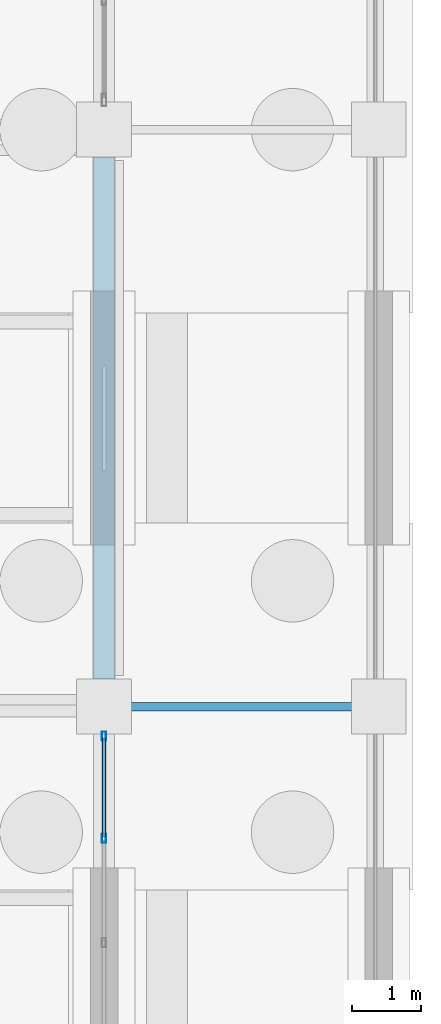
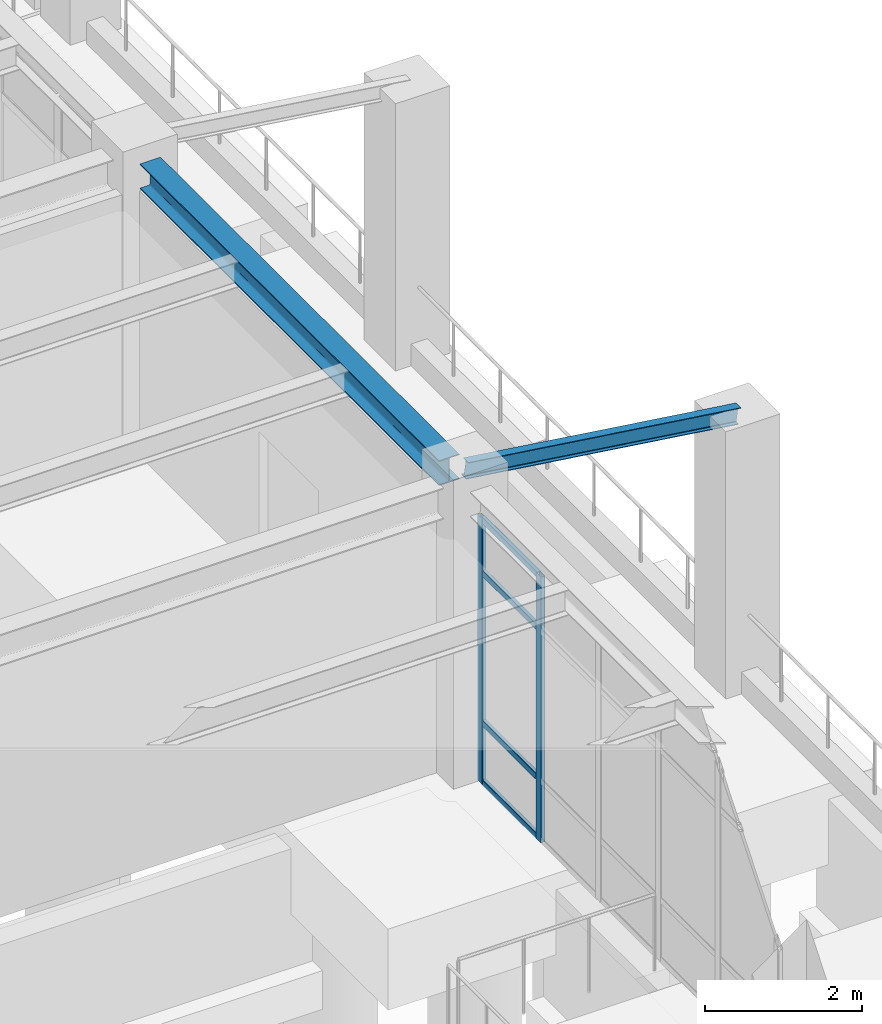
# One storey, part 55 of 111: 7 members, 1 beam, 1 element without a shape of its own.
"""IFC4 building model written with IfcOpenShell, lengths in metres."""

from ifc_helpers import new_model, si_unit, direction, frame, origin, origin_2d, place, context, subcontext, project, spatial, hollow_rectangle, i_section, extrude, material, material_profile, profile_set, type_object, element, aggregate, save


model = new_model("IFC4")

# Units and contexts
model_context = context("Model", 3, precision=1e-05, world=origin(), true_north=direction((0.0, 1.0)))
body_context = subcontext(model_context, "Body", "Model", "MODEL_VIEW")
ifc_project = project(units=[si_unit("LENGTHUNIT", "METRE"), si_unit("AREAUNIT", "SQUARE_METRE"), si_unit("VOLUMEUNIT", "CUBIC_METRE"), si_unit("PLANEANGLEUNIT", "RADIAN"), si_unit("MASSUNIT", "GRAM", prefix="KILO")], contexts=[model_context])

# Site, building, storey
site_placement = place(None, origin())
site = spatial("IfcSite", under=ifc_project, at=site_placement, CompositionType="ELEMENT")
building_placement = place(site_placement, origin())
building = spatial("IfcBuilding", under=site, at=building_placement, Name="Canglan Escarpment Cableway Terminal", CompositionType="ELEMENT")
storey_placement = place(building_placement, frame((0.0, 0.0, 4.800048828125)))
storey = spatial("IfcBuildingStorey", under=building, at=storey_placement, Name="L01", CompositionType="ELEMENT", Elevation=4.800048828125)

# Beam
ifc_material_1 = material(Name="Steel Q355B", Category="steel")
ifc_material_profile_1 = material_profile(ifc_material_1, i_section(OverallWidth=0.300048828125, OverallDepth=0.389892578125, WebThickness=0.010009765625, FlangeThickness=0.01611328125, FilletRadius=0.02197265625, at=origin_2d()), Name="HM 390x300x10x16")
ifc_profile_set_1 = profile_set([ifc_material_profile_1], Name="Steel Q355B")
beam_type = type_object("IfcBeamType", Name="BM-ARCH-TOP-HM390", PredefinedType="BEAM", material=ifc_profile_set_1)
beam_placement = place(storey_placement, frame((176.0, 16.800048828125, 4.3349609375), z_axis=(0.0, 1.0, 0.0), x_axis=(-1.0, 0.0, 0.0)))
element("IfcBeam", 1, at=beam_placement, inside=storey, type_object=beam_type, Name="Primary transverse girder AR-TC1", PredefinedType="BEAM", context=body_context, shape_type="SweptSolid", body=[
    extrude(i_section(OverallWidth=0.300048828125, OverallDepth=0.389892578125, WebThickness=0.010009765625, FlangeThickness=0.01611328125, FilletRadius=0.02197265625, at=origin_2d()), origin(), (0.0, 0.0, 1.0), 7.599853515625),
])

# Curtain wall, members
ifc_material_2 = material(Name="Anodized bronze aluminium and Low-E double glazing", Category="aluminium")
curtain_wall_type = type_object("IfcCurtainWallType", Name="CW-BAY-7600x4125", PredefinedType="NOTDEFINED", material=ifc_material_2)
curtain_wall_placement = place(storey_placement, origin())
curtain_wall = element("IfcCurtainWall", 2, at=curtain_wall_placement, inside=storey, type_object=curtain_wall_type, Name="Classical bay-between-piers glazed curtain wall CW-23", PredefinedType="NOTDEFINED")
ifc_material_3 = material(Name="Thermally broken anodized aluminium 6063-T6", Category="aluminium")
ifc_material_profile_2 = material_profile(ifc_material_3, hollow_rectangle(XDim=0.06005859375, YDim=0.1298828125, WallThickness=0.0029296875, InnerFilletRadius=0.0029296875, OuterFilletRadius=0.006103515625, at=origin_2d()), Name="ALU-MULL 60x130x3")
ifc_profile_set_2 = profile_set([ifc_material_profile_2], Name="Thermally broken anodized aluminium 6063-T6")
member_type_1 = type_object("IfcMemberType", Name="CWM-01", PredefinedType="MULLION", material=ifc_profile_set_2)
member_1_placement = place(storey_placement, frame((176.0, 14.47998046875, 0.0), z_axis=(0.0, 0.0, 1.0), x_axis=(-1.0, 0.0, 0.0)))
member_1 = element("IfcMember", 3, at=member_1_placement, type_object=member_type_1, Name="CW-23 mullion 5", PredefinedType="MULLION", context=body_context, shape_type="SweptSolid", body=[
    extrude(hollow_rectangle(XDim=0.06005859375, YDim=0.1298828125, WallThickness=0.0029296875, InnerFilletRadius=0.0029296875, OuterFilletRadius=0.006103515625, at=origin_2d()), origin(), (0.0, 0.0, 1.0), 4.125),
])
member_2_placement = place(storey_placement, frame((176.0, 15.969970703125, 0.0), z_axis=(0.0, 0.0, 1.0), x_axis=(-1.0, 0.0, 0.0)))
member_2 = element("IfcMember", 4, at=member_2_placement, type_object=member_type_1, Name="CW-23 mullion 6", PredefinedType="MULLION", context=body_context, shape_type="SweptSolid", body=[
    extrude(hollow_rectangle(XDim=0.06005859375, YDim=0.1298828125, WallThickness=0.0029296875, InnerFilletRadius=0.0029296875, OuterFilletRadius=0.006103515625, at=origin_2d()), origin(), (0.0, 0.0, 1.0), 4.125),
])
ifc_material_profile_3 = material_profile(ifc_material_3, hollow_rectangle(XDim=0.054931640625, YDim=0.094970703125, WallThickness=0.0029296875, InnerFilletRadius=0.0029296875, OuterFilletRadius=0.006103515625, at=origin_2d()), Name="ALU-TRAN 55x95x3")
ifc_profile_set_3 = profile_set([ifc_material_profile_3], Name="Thermally broken anodized aluminium 6063-T6")
member_type_2 = type_object("IfcMemberType", Name="CWT-01", PredefinedType="USERDEFINED", material=ifc_profile_set_3)
member_3_placement = place(storey_placement, frame((176.0, 14.510009765625, 0.02734375), z_axis=(0.0, 1.0, 0.0), x_axis=(-1.0, 0.0, 0.0)))
member_3 = element("IfcMember", 5, at=member_3_placement, type_object=member_type_2, Name="CW-23 transom 5.1", ObjectType="TRANSOM", PredefinedType="USERDEFINED", context=body_context, shape_type="SweptSolid", body=[
    extrude(hollow_rectangle(XDim=0.054931640625, YDim=0.094970703125, WallThickness=0.0029296875, InnerFilletRadius=0.0029296875, OuterFilletRadius=0.006103515625, at=origin_2d()), origin(), (0.0, 0.0, 1.0), 1.429931640625),
])
member_4_placement = place(storey_placement, frame((176.0, 14.510009765625, 0.949951171875), z_axis=(0.0, 1.0, 0.0), x_axis=(-1.0, 0.0, 0.0)))
member_4 = element("IfcMember", 6, at=member_4_placement, type_object=member_type_2, Name="CW-23 transom 5.2", ObjectType="TRANSOM", PredefinedType="USERDEFINED", context=body_context, shape_type="SweptSolid", body=[
    extrude(hollow_rectangle(XDim=0.054931640625, YDim=0.094970703125, WallThickness=0.0029296875, InnerFilletRadius=0.0029296875, OuterFilletRadius=0.006103515625, at=origin_2d()), origin(), (0.0, 0.0, 1.0), 1.429931640625),
])
member_5_placement = place(storey_placement, frame((176.0, 14.510009765625, 3.27490234375), z_axis=(0.0, 1.0, 0.0), x_axis=(-1.0, 0.0, 0.0)))
member_5 = element("IfcMember", 7, at=member_5_placement, type_object=member_type_2, Name="CW-23 transom 5.3", ObjectType="TRANSOM", PredefinedType="USERDEFINED", context=body_context, shape_type="SweptSolid", body=[
    extrude(hollow_rectangle(XDim=0.054931640625, YDim=0.094970703125, WallThickness=0.0029296875, InnerFilletRadius=0.0029296875, OuterFilletRadius=0.006103515625, at=origin_2d()), origin(), (0.0, 0.0, 1.0), 1.429931640625),
])
member_6_placement = place(storey_placement, frame((176.0, 14.510009765625, 4.097412109375), z_axis=(0.0, 1.0, 0.0), x_axis=(-1.0, 0.0, 0.0)))
member_6 = element("IfcMember", 8, at=member_6_placement, type_object=member_type_2, Name="CW-23 transom 5.4", ObjectType="TRANSOM", PredefinedType="USERDEFINED", context=body_context, shape_type="SweptSolid", body=[
    extrude(hollow_rectangle(XDim=0.054931640625, YDim=0.094970703125, WallThickness=0.0029296875, InnerFilletRadius=0.0029296875, OuterFilletRadius=0.006103515625, at=origin_2d()), origin(), (0.0, 0.0, 1.0), 1.429931640625),
])
aggregate(curtain_wall, [member_1, member_2, member_3, member_4, member_5, member_6])

# Member
ifc_material_profile_4 = material_profile(ifc_material_1, i_section(OverallWidth=0.125, OverallDepth=0.25, WebThickness=0.006103515625, FlangeThickness=0.009033203125, FilletRadius=0.011962890625, at=origin_2d()), Name="HN 250x125x6x9")
ifc_profile_set_4 = profile_set([ifc_material_profile_4], Name="Steel Q355B")
member_type_3 = type_object("IfcMemberType", Name="MB-PORT-RAFT-HN250", PredefinedType="RAFTER", material=ifc_profile_set_4)
member_7_placement = place(storey_placement, frame((176.0, 16.39990234375, 4.599853515625), z_axis=(0.990685366619, 0.0, -0.136170864601), x_axis=(0.0, 1.0, 0.0)))
element("IfcMember", 9, at=member_7_placement, inside=storey, type_object=member_type_3, Name="Arrival portico canopy rafter RF-R02", PredefinedType="RAFTER", context=body_context, shape_type="SweptSolid", body=[
    extrude(i_section(OverallWidth=0.125, OverallDepth=0.25, WebThickness=0.006103515625, FlangeThickness=0.009033203125, FilletRadius=0.011962890625, at=origin_2d()), origin(), (0.0, 0.0, 1.0), 4.03759765625),
])

save(model, "model.ifc")
